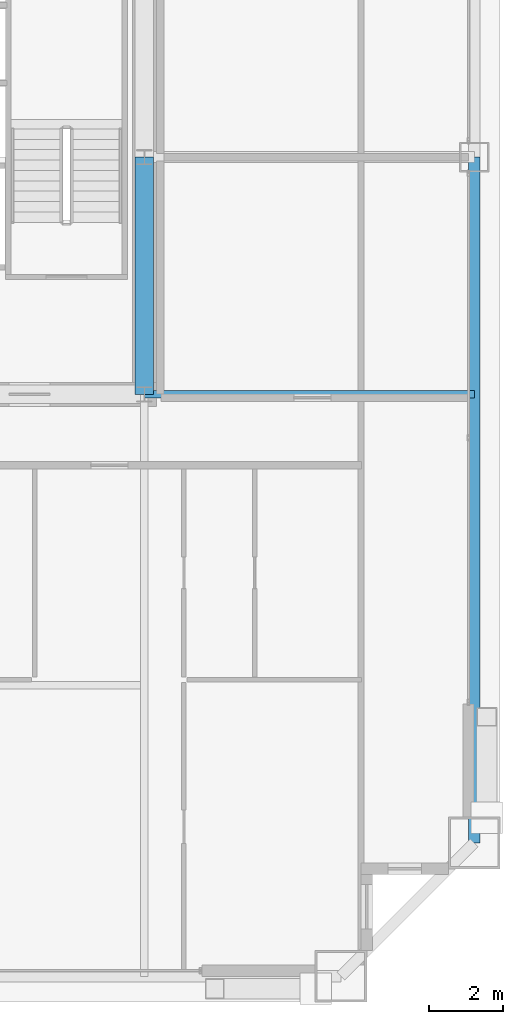
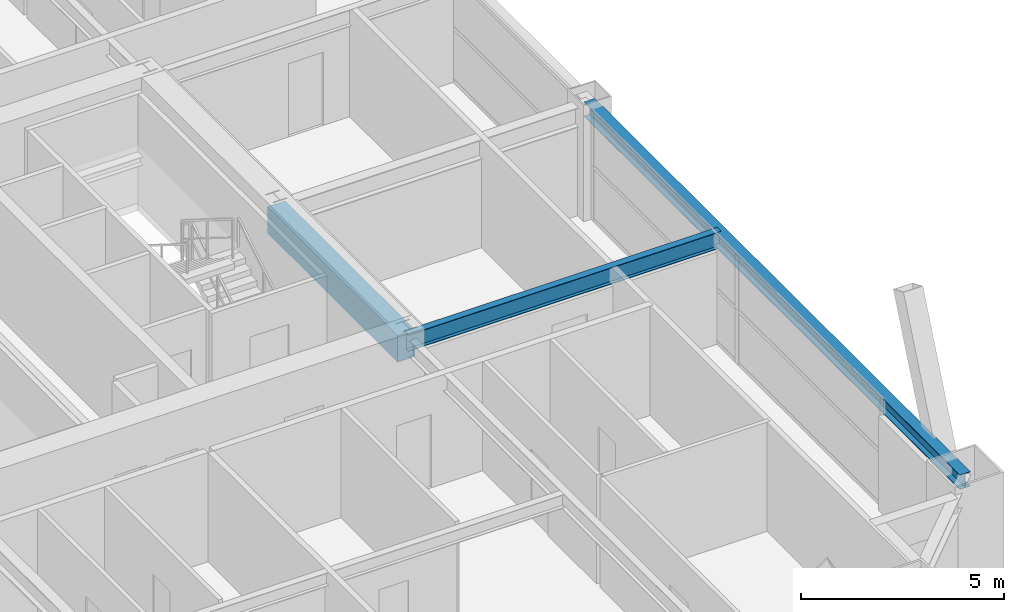
# One storey, part 18 of 42: 3 beams.
"""IFC4 building model written with IfcOpenShell, lengths in metres."""

from ifc_helpers import new_model, si_unit, direction, frame, origin, origin_2d, place, context, subcontext, project, spatial, rectangle, i_section, extrude, source, transform, mapped, material, material_profile, profile_set, type_object, element, save


model = new_model("IFC4")

# Units and contexts
model_context = context("Model", 3, precision=1e-05, world=origin(), true_north=direction((0.0, 1.0)))
body_context = subcontext(model_context, "Body", "Model", "MODEL_VIEW")
ifc_project = project(units=[si_unit("LENGTHUNIT", "METRE"), si_unit("AREAUNIT", "SQUARE_METRE"), si_unit("VOLUMEUNIT", "CUBIC_METRE"), si_unit("PLANEANGLEUNIT", "RADIAN"), si_unit("MASSUNIT", "GRAM", prefix="KILO"), si_unit("THERMODYNAMICTEMPERATUREUNIT", "KELVIN"), si_unit("POWERUNIT", "WATT")], contexts=[model_context])

# Site, building, storey
site_placement = place(None, origin())
site = spatial("IfcSite", under=ifc_project, at=site_placement, CompositionType="ELEMENT")
building_placement = place(site_placement, origin())
building = spatial("IfcBuilding", under=site, at=building_placement, Name="Yuzanri Waterfront Tower", CompositionType="ELEMENT")
storey_placement = place(building_placement, frame((0.0, 0.0, 205.5)))
storey = spatial("IfcBuildingStorey", under=building, at=storey_placement, Name="L54", CompositionType="ELEMENT", Elevation=205.5)

# Beams
ifc_material_1 = material(Name="Steel Q355B", Category="steel")
ifc_material_profile_1 = material_profile(ifc_material_1, i_section(OverallWidth=0.300048828125, OverallDepth=0.43994140625, WebThickness=0.010986328125, FlangeThickness=0.01806640625, at=origin_2d()), Name="HM 440x300x11x18")
ifc_profile_set_1 = profile_set([ifc_material_profile_1], Name="Steel Q355B")
beam_type_1 = type_object("IfcBeamType", Name="Perimeter Spandrel Q355B HM 440x300", PredefinedType="SPANDREL", material=ifc_profile_set_1)
shared_shape_1 = source(origin(), body_context, "Body", "SweptSolid", [
    extrude(i_section(OverallWidth=0.300048828125, OverallDepth=0.43994140625, WebThickness=0.010986328125, FlangeThickness=0.01806640625, at=origin_2d()), origin(), (0.0, 0.0, 1.0), 18.5),
])
beam_1_placement = place(storey_placement, frame((59.10009765625, 7.300048828125, 3.06005859375), z_axis=(0.0, 1.0, 0.0), x_axis=(-1.0, 0.0, 0.0)))
element("IfcBeam", 1, at=beam_1_placement, inside=storey, type_object=beam_type_1, Name="L54 Perimeter Spandrel E1-E2", PredefinedType="SPANDREL", context=body_context, shape_type="MappedRepresentation", body=[
    mapped(shared_shape_1, transform((0.0, 0.0, 0.0), scale=1.0)),
])
ifc_material_2 = material(Name="Steel Q355B", Category="steel")
ifc_material_profile_2 = material_profile(ifc_material_2, i_section(OverallWidth=0.199951171875, OverallDepth=0.5, WebThickness=0.010009765625, FlangeThickness=0.01611328125, at=origin_2d()), Name="HN 500x200x10x16")
ifc_profile_set_2 = profile_set([ifc_material_profile_2], Name="Steel Q355B")
beam_type_2 = type_object("IfcBeamType", Name="Secondary Floor Beam Q355B HN 500x200", PredefinedType="BEAM", material=ifc_profile_set_2)
shared_shape_2 = source(origin(), body_context, "Body", "SweptSolid", [
    extrude(i_section(OverallWidth=0.199951171875, OverallDepth=0.5, WebThickness=0.010009765625, FlangeThickness=0.01611328125, at=origin_2d()), origin(), (0.0, 0.0, 1.0), 8.900146484375),
])
beam_2_placement = place(storey_placement, frame((50.199951171875, 19.39990234375, 3.030029296875), z_axis=(1.0, 0.0, 0.0), x_axis=(0.0, 1.0, 0.0)))
element("IfcBeam", 2, at=beam_2_placement, inside=storey, type_object=beam_type_2, Name="L54 East-South Core Line Beam", PredefinedType="BEAM", context=body_context, shape_type="MappedRepresentation", body=[
    mapped(shared_shape_2, transform((0.0, 0.0, 0.0), scale=1.0)),
])
ifc_material_3 = material(Name="Concrete C50", Category="concrete")
ifc_material_profile_3 = material_profile(ifc_material_3, rectangle(XDim=0.5, YDim=0.800048828125, at=origin_2d()), Name="RC 500x800")
ifc_profile_set_3 = profile_set([ifc_material_profile_3], Name="Concrete C50")
beam_type_3 = type_object("IfcBeamType", Name="Core Coupling Lintel Concrete C50 500x800", PredefinedType="LINTEL", material=ifc_profile_set_3)
shared_shape_3 = source(origin(), body_context, "Body", "SweptSolid", [
    extrude(rectangle(XDim=0.5, YDim=0.800048828125, at=origin_2d()), origin(), (0.0, 0.0, 1.0), 6.400146484375),
])
beam_3_placement = place(storey_placement, frame((50.199951171875, 19.39990234375, 2.8798828125), z_axis=(0.0, 1.0, 0.0), x_axis=(-1.0, 0.0, 0.0)))
element("IfcBeam", 3, at=beam_3_placement, inside=storey, type_object=beam_type_3, Name="L54 Core Tie Beam CE1", PredefinedType="LINTEL", context=body_context, shape_type="MappedRepresentation", body=[
    mapped(shared_shape_3, transform((0.0, 0.0, 0.0), scale=1.0)),
])

save(model, "model.ifc")
